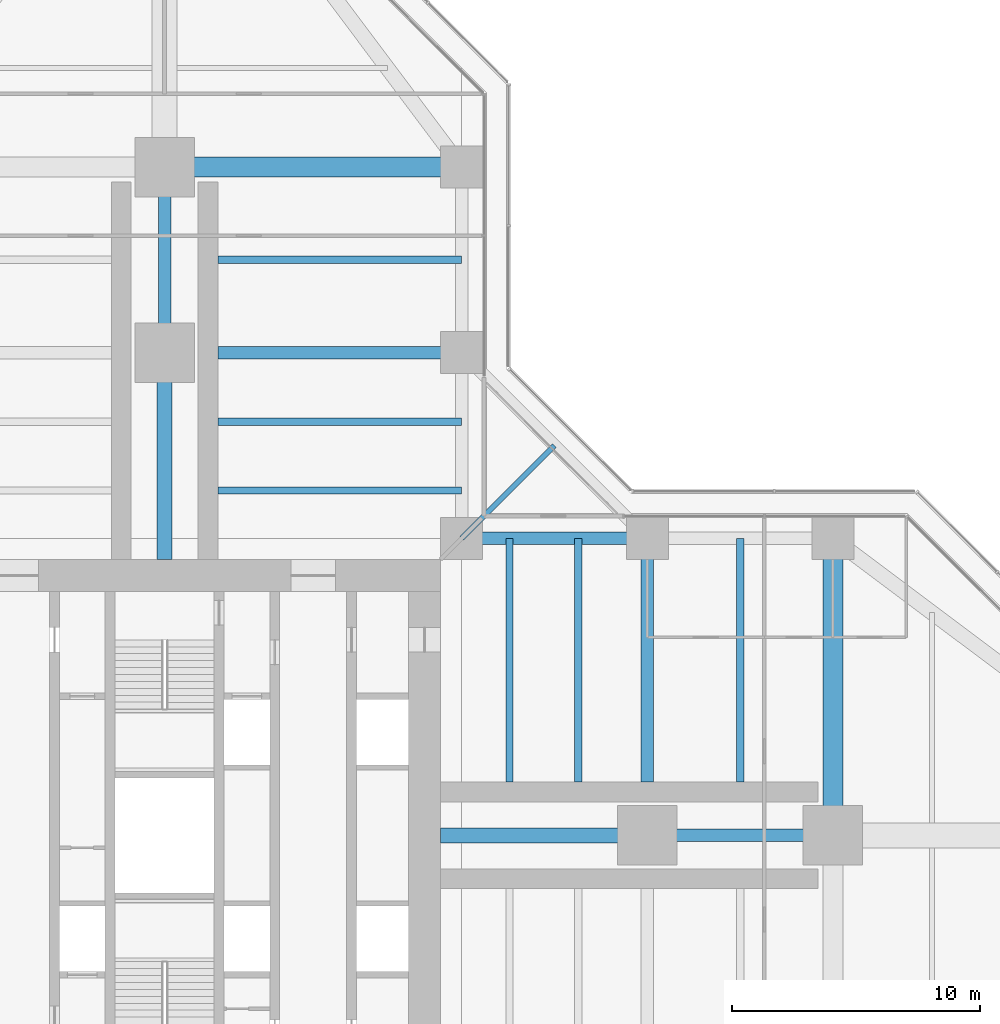
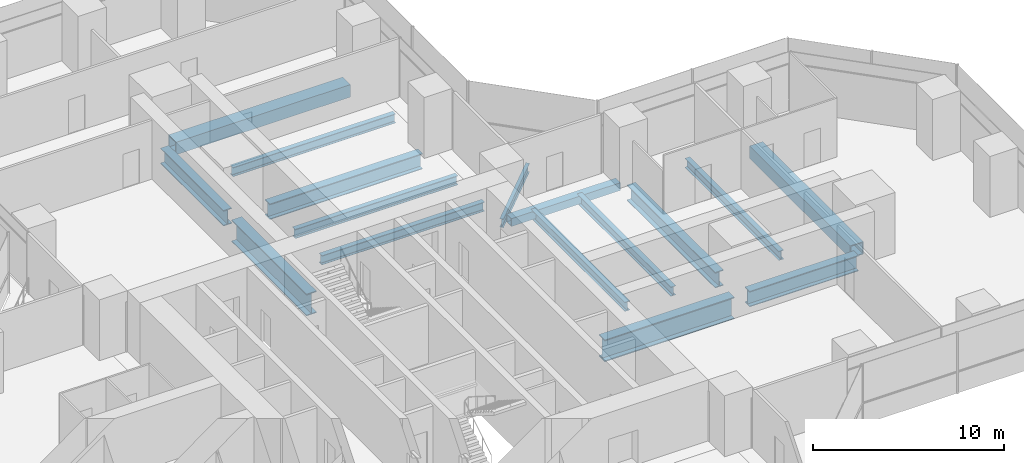
# One storey, part 10 of 22: 16 beams.
"""IFC4 building model written with IfcOpenShell, lengths in metres."""

from ifc_helpers import new_model, si_unit, direction, frame, origin, origin_2d, place, context, subcontext, project, spatial, hollow_rectangle, i_section, extrude, material, material_profile, profile_set, type_object, element, save


model = new_model("IFC4")

# Units and contexts
model_context = context("Model", 3, precision=1e-05, world=origin(), true_north=direction((0.0, 1.0)))
body_context = subcontext(model_context, "Body", "Model", "MODEL_VIEW")
ifc_project = project(units=[si_unit("LENGTHUNIT", "METRE"), si_unit("AREAUNIT", "SQUARE_METRE"), si_unit("VOLUMEUNIT", "CUBIC_METRE"), si_unit("PLANEANGLEUNIT", "RADIAN"), si_unit("MASSUNIT", "GRAM", prefix="KILO")], contexts=[model_context])

# Site, building, storey
site_placement = place(None, origin())
site = spatial("IfcSite", under=ifc_project, at=site_placement, CompositionType="ELEMENT")
building_placement = place(site_placement, origin())
building = spatial("IfcBuilding", under=site, at=building_placement, Name="Mizan Broadcast Tower", CompositionType="ELEMENT")
storey_placement = place(building_placement, frame((0.0, 0.0, 98.10009765625)))
storey = spatial("IfcBuildingStorey", under=building, at=storey_placement, Name="L21", CompositionType="ELEMENT", Elevation=98.10009765625)

# Beams
ifc_material_1 = material(Name="Steel S355", Category="steel")
ifc_material_profile_1 = material_profile(ifc_material_1, hollow_rectangle(XDim=0.5, YDim=0.5, WallThickness=0.030029296875, at=origin_2d()), Name="BOX 500x500x30")
ifc_profile_set_1 = profile_set([ifc_material_profile_1], Name="Steel S355")
beam_type_1 = type_object("IfcBeamType", Name="EDGE BEAM BOX 500x500x30", PredefinedType="SPANDREL", material=ifc_profile_set_1)
beam_1_placement = place(storey_placement, frame((12.449951171875, 12.0, -0.380126953125), z_axis=(1.0, 0.0, 0.0), x_axis=(0.0, 1.0, 0.0)))
element("IfcBeam", 1, at=beam_1_placement, inside=storey, type_object=beam_type_1, Name="Edge beam BOX 500x500x30 L21 east arm", PredefinedType="SPANDREL", context=body_context, shape_type="SweptSolid", body=[
    extrude(hollow_rectangle(XDim=0.5, YDim=0.5, WallThickness=0.030029296875, at=origin_2d()), origin(), (0.0, 0.0, 1.0), 6.60009765625),
])
ifc_material_2 = material(Name="Steel S460", Category="steel")
ifc_material_profile_2 = material_profile(ifc_material_2, hollow_rectangle(XDim=0.800048828125, YDim=0.800048828125, WallThickness=0.050048828125, at=origin_2d()), Name="BOX 800x800x50")
ifc_profile_set_2 = profile_set([ifc_material_profile_2], Name="Steel S460")
beam_type_2 = type_object("IfcBeamType", Name="GIRDER BOX 800x800x50", PredefinedType="BEAM", material=ifc_profile_set_2)
for number, where, z_axis, x_axis, name in (
    (2, (27.0, 11.280029296875, -0.530029296875), (0.0, -1.0, 0.0), (1.0, 0.0, 0.0), "Girder BOX 800x800x50 L21 east arm"),
    (3, (11.280029296875, 27.0, -0.530029296875), (-1.0, 0.0, 0.0), (0.0, -1.0, 0.0), "Girder BOX 800x800x50 L21 north arm"),
):
    element("IfcBeam", number, at=place(storey_placement, frame(where, z_axis=z_axis, x_axis=x_axis)), inside=storey, type_object=beam_type_2, Name=name, PredefinedType="BEAM", context=body_context, shape_type="SweptSolid", body=[
        extrude(hollow_rectangle(XDim=0.800048828125, YDim=0.800048828125, WallThickness=0.050048828125, at=origin_2d()), origin(), (0.0, 0.0, 1.0), 10.56005859375),
    ])
ifc_material_3 = material(Name="Steel S460", Category="steel")
ifc_material_profile_3 = material_profile(ifc_material_3, i_section(OverallWidth=0.5, OverallDepth=1.0, WebThickness=0.02490234375, FlangeThickness=0.050048828125, at=origin_2d()), Name="WPG 1000x500")
ifc_profile_set_3 = profile_set([ifc_material_profile_3], Name="Steel S460")
beam_type_3 = type_object("IfcBeamType", Name="GIRDER WPG 1000x500", PredefinedType="BEAM", material=ifc_profile_set_3)
beam_2_placement = place(storey_placement, frame((19.949951171875, 0.0, -0.630126953125), z_axis=(1.0, 0.0, 0.0), x_axis=(0.0, 1.0, 0.0)))
element("IfcBeam", 4, at=beam_2_placement, inside=storey, type_object=beam_type_3, Name="Girder WPG 1000x500 L21 east arm", PredefinedType="BEAM", context=body_context, shape_type="SweptSolid", body=[
    extrude(i_section(OverallWidth=0.5, OverallDepth=1.0, WebThickness=0.02490234375, FlangeThickness=0.050048828125, at=origin_2d()), origin(), (0.0, 0.0, 1.0), 6.60009765625),
])
beam_3_placement = place(storey_placement, frame((19.5, 11.408935546875, -0.630126953125), z_axis=(0.0, -1.0, 0.0), x_axis=(1.0, 0.0, 0.0)))
element("IfcBeam", 5, at=beam_3_placement, inside=storey, type_object=beam_type_3, Name="Girder WPG 1000x500 L21 east arm", PredefinedType="BEAM", context=body_context, shape_type="SweptSolid", body=[
    extrude(i_section(OverallWidth=0.5, OverallDepth=1.0, WebThickness=0.02490234375, FlangeThickness=0.050048828125, at=origin_2d()), origin(), (0.0, 0.0, 1.0), 9.259033203125),
])
beam_4_placement = place(storey_placement, frame((0.0, 19.949951171875, -0.630126953125), z_axis=(0.0, 1.0, 0.0), x_axis=(-1.0, 0.0, 0.0)))
element("IfcBeam", 6, at=beam_4_placement, inside=storey, type_object=beam_type_3, Name="Girder WPG 1000x500 L21 north arm", PredefinedType="BEAM", context=body_context, shape_type="SweptSolid", body=[
    extrude(i_section(OverallWidth=0.5, OverallDepth=1.0, WebThickness=0.02490234375, FlangeThickness=0.050048828125, at=origin_2d()), origin(), (0.0, 0.0, 1.0), 6.60009765625),
])
beam_5_placement = place(storey_placement, frame((11.408935546875, 19.5, -0.630126953125), z_axis=(-1.0, 0.0, 0.0), x_axis=(0.0, -1.0, 0.0)))
element("IfcBeam", 7, at=beam_5_placement, inside=storey, type_object=beam_type_3, Name="Girder WPG 1000x500 L21 north arm", PredefinedType="BEAM", context=body_context, shape_type="SweptSolid", body=[
    extrude(i_section(OverallWidth=0.5, OverallDepth=1.0, WebThickness=0.02490234375, FlangeThickness=0.050048828125, at=origin_2d()), origin(), (0.0, 0.0, 1.0), 9.259033203125),
])
ifc_material_4 = material(Name="Steel S460", Category="steel")
ifc_material_profile_4 = material_profile(ifc_material_4, i_section(OverallWidth=0.60009765625, OverallDepth=1.39990234375, WebThickness=0.02490234375, FlangeThickness=0.06005859375, at=origin_2d()), Name="WPG 1400x600")
ifc_profile_set_4 = profile_set([ifc_material_profile_4], Name="Steel S460")
beam_type_4 = type_object("IfcBeamType", Name="GIRDER WPG 1400x600", PredefinedType="BEAM", material=ifc_profile_set_4)
for number, where, z_axis, x_axis, name in (
    (8, (11.14990234375, 0.0, -0.830078125), (1.0, 0.0, 0.0), (0.0, 1.0, 0.0), "Girder WPG 1400x600 L21 east arm"),
    (9, (0.0, 11.14990234375, -0.830078125), (0.0, 1.0, 0.0), (-1.0, 0.0, 0.0), "Girder WPG 1400x600 L21 north arm"),
):
    element("IfcBeam", number, at=place(storey_placement, frame(where, z_axis=z_axis, x_axis=x_axis)), inside=storey, type_object=beam_type_4, Name=name, PredefinedType="BEAM", context=body_context, shape_type="SweptSolid", body=[
        extrude(i_section(OverallWidth=0.60009765625, OverallDepth=1.39990234375, WebThickness=0.02490234375, FlangeThickness=0.06005859375, at=origin_2d()), origin(), (0.0, 0.0, 1.0), 7.84912109375),
    ])
ifc_material_5 = material(Name="Steel S355", Category="steel")
ifc_material_profile_5 = material_profile(ifc_material_5, i_section(OverallWidth=0.300048828125, OverallDepth=0.590087890625, WebThickness=0.012939453125, FlangeThickness=0.02490234375, FilletRadius=0.027099609375, at=origin_2d()), Name="HEA 600")
ifc_profile_set_5 = profile_set([ifc_material_profile_5], Name="Steel S355")
beam_type_5 = type_object("IfcBeamType", Name="SECONDARY BEAM HEA 600", PredefinedType="JOIST", material=ifc_profile_set_5)
for number, where, z_axis, x_axis, name in (
    (10, (13.933349609375, 12.0, -0.425048828125), (0.0, -1.0, 0.0), (1.0, 0.0, 0.0), "Secondary beam HEA 600 L21 east arm"),
    (11, (16.716552734375, 12.0, -0.425048828125), (0.0, -1.0, 0.0), (1.0, 0.0, 0.0), "Secondary beam HEA 600 L21 east arm"),
    (12, (23.25, 12.0, -0.425048828125), (0.0, -1.0, 0.0), (1.0, 0.0, 0.0), "Secondary beam HEA 600 L21 east arm"),
    (13, (12.0, 13.933349609375, -0.425048828125), (-1.0, 0.0, 0.0), (0.0, -1.0, 0.0), "Secondary beam HEA 600 L21 north arm"),
    (14, (12.0, 16.716552734375, -0.425048828125), (-1.0, 0.0, 0.0), (0.0, -1.0, 0.0), "Secondary beam HEA 600 L21 north arm"),
    (15, (12.0, 23.25, -0.425048828125), (-1.0, 0.0, 0.0), (0.0, -1.0, 0.0), "Secondary beam HEA 600 L21 north arm"),
):
    element("IfcBeam", number, at=place(storey_placement, frame(where, z_axis=z_axis, x_axis=x_axis)), inside=storey, type_object=beam_type_5, Name=name, PredefinedType="JOIST", context=body_context, shape_type="SweptSolid", body=[
        extrude(i_section(OverallWidth=0.300048828125, OverallDepth=0.590087890625, WebThickness=0.012939453125, FlangeThickness=0.02490234375, FilletRadius=0.027099609375, at=origin_2d()), origin(), (0.0, 0.0, 1.0), 9.85009765625),
    ])
ifc_material_6 = material(Name="Steel S355", Category="steel")
ifc_material_profile_6 = material_profile(ifc_material_6, i_section(OverallWidth=0.2099609375, OverallDepth=0.550048828125, WebThickness=0.010986328125, FlangeThickness=0.01708984375, FilletRadius=0.02392578125, at=origin_2d()), Name="IPE 550")
ifc_profile_set_6 = profile_set([ifc_material_profile_6], Name="Steel S355")
beam_type_6 = type_object("IfcBeamType", Name="SECONDARY BEAM IPE 550", PredefinedType="JOIST", material=ifc_profile_set_6)
beam_6_placement = place(storey_placement, frame((12.0, 12.0, -0.405029296875), z_axis=(0.707106781187, 0.707106781187, 0.0), x_axis=(-0.707106781187, 0.707106781187, 0.0)))
element("IfcBeam", 16, at=beam_6_placement, inside=storey, type_object=beam_type_6, Name="Winter garden beam L21 E", PredefinedType="JOIST", context=body_context, shape_type="SweptSolid", body=[
    extrude(i_section(OverallWidth=0.2099609375, OverallDepth=0.550048828125, WebThickness=0.010986328125, FlangeThickness=0.01708984375, FilletRadius=0.02392578125, at=origin_2d()), origin(), (0.0, 0.0, 1.0), 5.30322265625),
])

save(model, "model.ifc")
